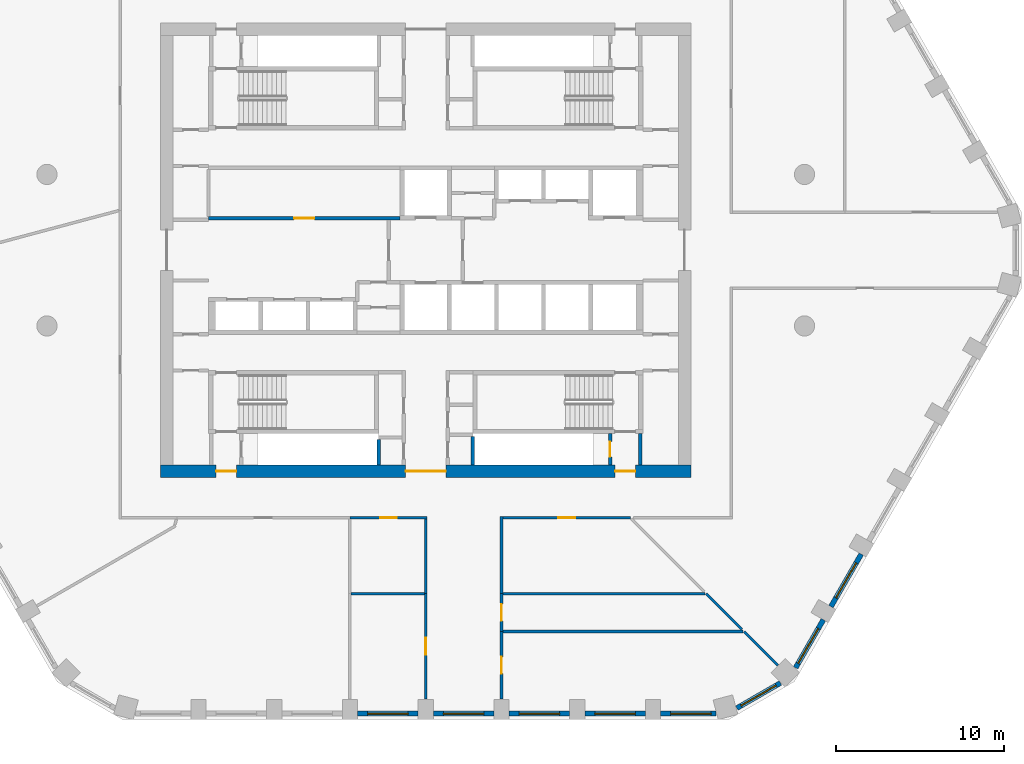
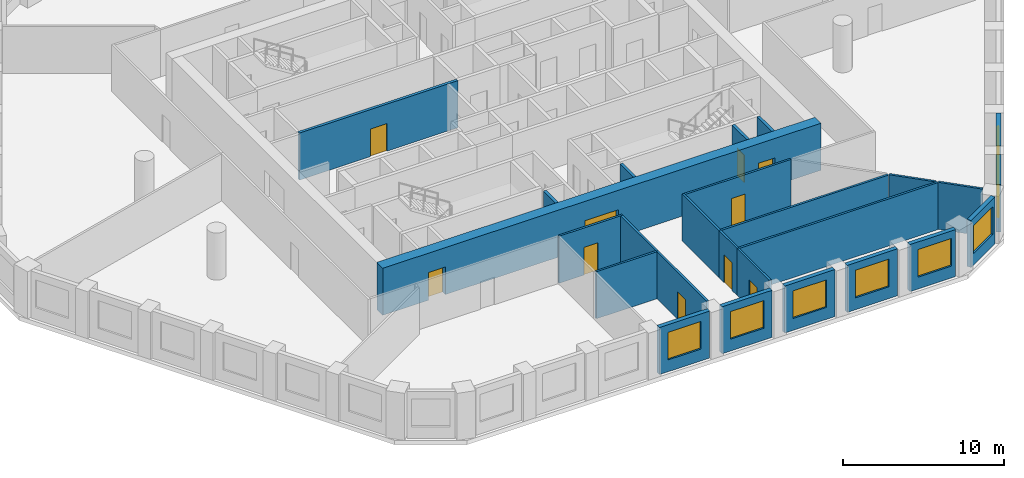
# One storey, part 3 of 9: 26 walls, 10 doors, 8 windows, 18 openings.
"""IFC4 building model written with IfcOpenShell, lengths in metres."""

from ifc_helpers import new_model, si_unit, direction, frame, frame_2d, origin, place, context, subcontext, project, spatial, rectangle, extrude, material, layer, layer_set, type_object, element, fill, save


model = new_model("IFC4")

# Units and contexts
model_context = context("Model", 3, precision=1e-05, world=origin(), true_north=direction((0.0, 1.0)))
body_context = subcontext(model_context, "Body", "Model", "MODEL_VIEW")
ifc_project = project(units=[si_unit("LENGTHUNIT", "METRE"), si_unit("AREAUNIT", "SQUARE_METRE"), si_unit("VOLUMEUNIT", "CUBIC_METRE"), si_unit("PLANEANGLEUNIT", "RADIAN"), si_unit("MASSUNIT", "GRAM", prefix="KILO")], contexts=[model_context])

# Site, building, storey
site_placement = place(None, origin())
site = spatial("IfcSite", under=ifc_project, at=site_placement, CompositionType="ELEMENT")
building_placement = place(site_placement, origin())
building = spatial("IfcBuilding", under=site, at=building_placement, Name="Dhurran Vertical Campus", CompositionType="ELEMENT")
storey_placement = place(building_placement, frame((0.0, 0.0, 167.699951171875)))
storey = spatial("IfcBuildingStorey", under=building, at=storey_placement, Name="L41", CompositionType="ELEMENT", Elevation=167.699951171875)

# Wall, opening, window
ifc_material_1 = material(Name="Precast concrete C50/60", Category="concrete")
ifc_layer_1 = layer(ifc_material_1, 0.300048828125)
ifc_layer_set_1 = layer_set([ifc_layer_1], Name="Precast concrete C50/60")
wall_type_1 = type_object("IfcWallType", Name="Precast spandrel wall 300", PredefinedType="SOLIDWALL", material=ifc_layer_set_1)
wall_1_placement = place(storey_placement, frame((-4.049560546875, -27.53271484375, 0.0), z_axis=(0.0, 0.0, 1.0), x_axis=(1.0, 0.0, 0.0)))
wall_1 = element("IfcWall", 1, at=wall_1_placement, inside=storey, type_object=wall_type_1, Name="EW1 L41.03", PredefinedType="SOLIDWALL", context=body_context, shape_type="SweptSolid", body=[
    extrude(rectangle(XDim=3.59912109375, YDim=0.300048828125, at=frame_2d((1.799560546875, 0.0))), origin(), (0.0, 0.0, 1.0), 3.574951171875),
])
opening_1_placement = place(wall_1_placement, frame((0.599609375, 0.0, 0.89990234375)))
opening_1 = element("IfcOpeningElement", 2, at=opening_1_placement, cuts=wall_1, Name="Opening WT1", PredefinedType="OPENING", context=body_context, shape_type="SweptSolid", body=[
    extrude(rectangle(XDim=2.39990234375, YDim=2.10009765625, at=frame_2d((1.199951171875, 1.050048828125))), frame((0.0, 0.159912109375, 0.0), z_axis=(0.0, -1.0, 0.0), x_axis=(1.0, 0.0, 0.0)), (0.0, 0.0, 1.0), 0.320068359375),
])
ifc_material_2 = material(Name="Aluminium frame with solar-control glass", Category="aluminium")
window_type = type_object("IfcWindowType", Name="Punched window 2400 x 2100", PartitioningType="SINGLE_PANEL", PredefinedType="WINDOW", material=ifc_material_2)
window_1_placement = place(opening_1_placement, origin())
window_1 = element("IfcWindow", 3, at=window_1_placement, inside=storey, type_object=window_type, Name="WT1 L41.03", OverallHeight=2.10009765625, OverallWidth=2.39990234375, PartitioningType="SINGLE_PANEL", PredefinedType="WINDOW", context=body_context, shape_type="SweptSolid", body=[
    extrude(rectangle(XDim=2.39990234375, YDim=2.10009765625, at=frame_2d((1.199951171875, 1.050048828125))), frame((0.0, 0.030029296875, 0.0), z_axis=(0.0, -1.0, 0.0), x_axis=(1.0, 0.0, 0.0)), (0.0, 0.0, 1.0), 0.06005859375),
])
fill(opening_1, window_1)

wall_2_placement = place(storey_placement, frame((0.450439453125, -27.53271484375, 0.0), z_axis=(0.0, 0.0, 1.0), x_axis=(1.0, 0.0, 0.0)))
wall_2 = element("IfcWall", 4, at=wall_2_placement, inside=storey, type_object=wall_type_1, Name="EW1 L41.04", PredefinedType="SOLIDWALL", context=body_context, shape_type="SweptSolid", body=[
    extrude(rectangle(XDim=3.59912109375, YDim=0.300048828125, at=frame_2d((1.799560546875, 0.0))), origin(), (0.0, 0.0, 1.0), 3.574951171875),
])
opening_2_placement = place(wall_2_placement, frame((0.599609375, 0.0, 0.89990234375)))
opening_2 = element("IfcOpeningElement", 5, at=opening_2_placement, cuts=wall_2, Name="Opening WT1", PredefinedType="OPENING", context=body_context, shape_type="SweptSolid", body=[
    extrude(rectangle(XDim=2.39990234375, YDim=2.10009765625, at=frame_2d((1.199951171875, 1.050048828125))), frame((0.0, 0.159912109375, 0.0), z_axis=(0.0, -1.0, 0.0), x_axis=(1.0, 0.0, 0.0)), (0.0, 0.0, 1.0), 0.320068359375),
])
window_2_placement = place(opening_2_placement, origin())
window_2 = element("IfcWindow", 6, at=window_2_placement, inside=storey, type_object=window_type, Name="WT1 L41.04", OverallHeight=2.10009765625, OverallWidth=2.39990234375, PartitioningType="SINGLE_PANEL", PredefinedType="WINDOW", context=body_context, shape_type="SweptSolid", body=[
    extrude(rectangle(XDim=2.39990234375, YDim=2.10009765625, at=frame_2d((1.199951171875, 1.050048828125))), frame((0.0, 0.030029296875, 0.0), z_axis=(0.0, -1.0, 0.0), x_axis=(1.0, 0.0, 0.0)), (0.0, 0.0, 1.0), 0.06005859375),
])
fill(opening_2, window_2)

wall_3_placement = place(storey_placement, frame((4.950439453125, -27.53271484375, 0.0), z_axis=(0.0, 0.0, 1.0), x_axis=(1.0, 0.0, 0.0)))
wall_3 = element("IfcWall", 7, at=wall_3_placement, inside=storey, type_object=wall_type_1, Name="EW1 L41.05", PredefinedType="SOLIDWALL", context=body_context, shape_type="SweptSolid", body=[
    extrude(rectangle(XDim=3.59912109375, YDim=0.300048828125, at=frame_2d((1.799560546875, 0.0))), origin(), (0.0, 0.0, 1.0), 3.574951171875),
])
opening_3_placement = place(wall_3_placement, frame((0.599609375, 0.0, 0.89990234375)))
opening_3 = element("IfcOpeningElement", 8, at=opening_3_placement, cuts=wall_3, Name="Opening WT1", PredefinedType="OPENING", context=body_context, shape_type="SweptSolid", body=[
    extrude(rectangle(XDim=2.39990234375, YDim=2.10009765625, at=frame_2d((1.199951171875, 1.050048828125))), frame((0.0, 0.159912109375, 0.0), z_axis=(0.0, -1.0, 0.0), x_axis=(1.0, 0.0, 0.0)), (0.0, 0.0, 1.0), 0.320068359375),
])
window_3_placement = place(opening_3_placement, origin())
window_3 = element("IfcWindow", 9, at=window_3_placement, inside=storey, type_object=window_type, Name="WT1 L41.05", OverallHeight=2.10009765625, OverallWidth=2.39990234375, PartitioningType="SINGLE_PANEL", PredefinedType="WINDOW", context=body_context, shape_type="SweptSolid", body=[
    extrude(rectangle(XDim=2.39990234375, YDim=2.10009765625, at=frame_2d((1.199951171875, 1.050048828125))), frame((0.0, 0.030029296875, 0.0), z_axis=(0.0, -1.0, 0.0), x_axis=(1.0, 0.0, 0.0)), (0.0, 0.0, 1.0), 0.06005859375),
])
fill(opening_3, window_3)

wall_4_placement = place(storey_placement, frame((9.450439453125, -27.53271484375, 0.0), z_axis=(0.0, 0.0, 1.0), x_axis=(1.0, 0.0, 0.0)))
wall_4 = element("IfcWall", 10, at=wall_4_placement, inside=storey, type_object=wall_type_1, Name="EW1 L41.06", PredefinedType="SOLIDWALL", context=body_context, shape_type="SweptSolid", body=[
    extrude(rectangle(XDim=3.59912109375, YDim=0.300048828125, at=frame_2d((1.799560546875, 0.0))), origin(), (0.0, 0.0, 1.0), 3.574951171875),
])
opening_4_placement = place(wall_4_placement, frame((0.599609375, 0.0, 0.89990234375)))
opening_4 = element("IfcOpeningElement", 11, at=opening_4_placement, cuts=wall_4, Name="Opening WT1", PredefinedType="OPENING", context=body_context, shape_type="SweptSolid", body=[
    extrude(rectangle(XDim=2.39990234375, YDim=2.10009765625, at=frame_2d((1.199951171875, 1.050048828125))), frame((0.0, 0.159912109375, 0.0), z_axis=(0.0, -1.0, 0.0), x_axis=(1.0, 0.0, 0.0)), (0.0, 0.0, 1.0), 0.320068359375),
])
window_4_placement = place(opening_4_placement, origin())
window_4 = element("IfcWindow", 12, at=window_4_placement, inside=storey, type_object=window_type, Name="WT1 L41.06", OverallHeight=2.10009765625, OverallWidth=2.39990234375, PartitioningType="SINGLE_PANEL", PredefinedType="WINDOW", context=body_context, shape_type="SweptSolid", body=[
    extrude(rectangle(XDim=2.39990234375, YDim=2.10009765625, at=frame_2d((1.199951171875, 1.050048828125))), frame((0.0, 0.030029296875, 0.0), z_axis=(0.0, -1.0, 0.0), x_axis=(1.0, 0.0, 0.0)), (0.0, 0.0, 1.0), 0.06005859375),
])
fill(opening_4, window_4)

wall_5_placement = place(storey_placement, frame((13.950439453125, -27.53271484375, 0.0), z_axis=(0.0, 0.0, 1.0), x_axis=(1.0, 0.0, 0.0)))
wall_5 = element("IfcWall", 13, at=wall_5_placement, inside=storey, type_object=wall_type_1, Name="EW1 L41.07", PredefinedType="SOLIDWALL", context=body_context, shape_type="SweptSolid", body=[
    extrude(rectangle(XDim=3.294189453125, YDim=0.300048828125, at=frame_2d((1.64697265625, 0.0))), origin(), (0.0, 0.0, 1.0), 3.574951171875),
])
opening_5_placement = place(wall_5_placement, frame((0.599609375, 0.0, 0.89990234375)))
opening_5 = element("IfcOpeningElement", 14, at=opening_5_placement, cuts=wall_5, Name="Opening WT1", PredefinedType="OPENING", context=body_context, shape_type="SweptSolid", body=[
    extrude(rectangle(XDim=2.39990234375, YDim=2.10009765625, at=frame_2d((1.199951171875, 1.050048828125))), frame((0.0, 0.159912109375, 0.0), z_axis=(0.0, -1.0, 0.0), x_axis=(1.0, 0.0, 0.0)), (0.0, 0.0, 1.0), 0.320068359375),
])
window_5_placement = place(opening_5_placement, origin())
window_5 = element("IfcWindow", 15, at=window_5_placement, inside=storey, type_object=window_type, Name="WT1 L41.07", OverallHeight=2.10009765625, OverallWidth=2.39990234375, PartitioningType="SINGLE_PANEL", PredefinedType="WINDOW", context=body_context, shape_type="SweptSolid", body=[
    extrude(rectangle(XDim=2.39990234375, YDim=2.10009765625, at=frame_2d((1.199951171875, 1.050048828125))), frame((0.0, 0.030029296875, 0.0), z_axis=(0.0, -1.0, 0.0), x_axis=(1.0, 0.0, 0.0)), (0.0, 0.0, 1.0), 0.06005859375),
])
fill(opening_5, window_5)

wall_6_placement = place(storey_placement, frame((18.479248046875, -27.201904296875, 0.0), z_axis=(0.0, 0.0, 1.0), x_axis=(0.866012844897, 0.500021752, 0.0)))
wall_6 = element("IfcWall", 16, at=wall_6_placement, inside=storey, type_object=wall_type_1, Name="EW1 L41.08", PredefinedType="SOLIDWALL", context=body_context, shape_type="SweptSolid", body=[
    extrude(rectangle(XDim=2.989013671875, YDim=0.300048828125, at=frame_2d((1.49462890625, 0.0))), origin(), (0.0, 0.0, 1.0), 3.574951171875),
])
opening_6_placement = place(wall_6_placement, frame((0.294677734375, 0.0, 0.89990234375)))
opening_6 = element("IfcOpeningElement", 17, at=opening_6_placement, cuts=wall_6, Name="Opening WT1", PredefinedType="OPENING", context=body_context, shape_type="SweptSolid", body=[
    extrude(rectangle(XDim=2.39990234375, YDim=2.10009765625, at=frame_2d((1.199951171875, 1.050048828125))), frame((0.0, 0.159912109375, 0.0), z_axis=(0.0, -1.0, 0.0), x_axis=(1.0, 0.0, 0.0)), (0.0, 0.0, 1.0), 0.320068359375),
])
window_6_placement = place(opening_6_placement, origin())
window_6 = element("IfcWindow", 18, at=window_6_placement, inside=storey, type_object=window_type, Name="WT1 L41.08", OverallHeight=2.10009765625, OverallWidth=2.39990234375, PartitioningType="SINGLE_PANEL", PredefinedType="WINDOW", context=body_context, shape_type="SweptSolid", body=[
    extrude(rectangle(XDim=2.39990234375, YDim=2.10009765625, at=frame_2d((1.199951171875, 1.050048828125))), frame((0.0, 0.030029296875, 0.0), z_axis=(0.0, -1.0, 0.0), x_axis=(1.0, 0.0, 0.0)), (0.0, 0.0, 1.0), 0.06005859375),
])
fill(opening_6, window_6)

wall_7_placement = place(storey_placement, frame((21.9716796875, -24.803466796875, 0.0), z_axis=(0.0, 0.0, 1.0), x_axis=(0.500036802197, 0.866004154983, 0.0)))
wall_7 = element("IfcWall", 19, at=wall_7_placement, inside=storey, type_object=wall_type_1, Name="EW1 L41.09", PredefinedType="SOLIDWALL", context=body_context, shape_type="SweptSolid", body=[
    extrude(rectangle(XDim=3.294189453125, YDim=0.300048828125, at=frame_2d((1.64697265625, 0.0))), origin(), (0.0, 0.0, 1.0), 3.574951171875),
])
opening_7_placement = place(wall_7_placement, frame((0.29443359375, 0.0, 0.89990234375)))
opening_7 = element("IfcOpeningElement", 20, at=opening_7_placement, cuts=wall_7, Name="Opening WT1", PredefinedType="OPENING", context=body_context, shape_type="SweptSolid", body=[
    extrude(rectangle(XDim=2.39990234375, YDim=2.10009765625, at=frame_2d((1.199951171875, 1.050048828125))), frame((0.0, 0.159912109375, 0.0), z_axis=(0.0, -1.0, 0.0), x_axis=(1.0, 0.0, 0.0)), (0.0, 0.0, 1.0), 0.320068359375),
])
window_7_placement = place(opening_7_placement, origin())
window_7 = element("IfcWindow", 21, at=window_7_placement, inside=storey, type_object=window_type, Name="WT1 L41.09", OverallHeight=2.10009765625, OverallWidth=2.39990234375, PartitioningType="SINGLE_PANEL", PredefinedType="WINDOW", context=body_context, shape_type="SweptSolid", body=[
    extrude(rectangle(XDim=2.39990234375, YDim=2.10009765625, at=frame_2d((1.199951171875, 1.050048828125))), frame((0.0, 0.030029296875, 0.0), z_axis=(0.0, -1.0, 0.0), x_axis=(1.0, 0.0, 0.0)), (0.0, 0.0, 1.0), 0.06005859375),
])
fill(opening_7, window_7)

wall_8_placement = place(storey_placement, frame((24.0693359375, -21.17041015625, 0.0), z_axis=(0.0, 0.0, 1.0), x_axis=(0.500027802648, 0.866009351323, 0.0)))
wall_8 = element("IfcWall", 22, at=wall_8_placement, inside=storey, type_object=wall_type_1, Name="EW1 L41.10", PredefinedType="SOLIDWALL", context=body_context, shape_type="SweptSolid", body=[
    extrude(rectangle(XDim=3.598876953125, YDim=0.300048828125, at=frame_2d((1.79931640625, 0.0))), origin(), (0.0, 0.0, 1.0), 3.574951171875),
])
opening_8_placement = place(wall_8_placement, frame((0.599609375, 0.0, 0.89990234375)))
opening_8 = element("IfcOpeningElement", 23, at=opening_8_placement, cuts=wall_8, Name="Opening WT1", PredefinedType="OPENING", context=body_context, shape_type="SweptSolid", body=[
    extrude(rectangle(XDim=2.39990234375, YDim=2.10009765625, at=frame_2d((1.199951171875, 1.050048828125))), frame((0.0, 0.159912109375, 0.0), z_axis=(0.0, -1.0, 0.0), x_axis=(1.0, 0.0, 0.0)), (0.0, 0.0, 1.0), 0.320068359375),
])
window_8_placement = place(opening_8_placement, origin())
window_8 = element("IfcWindow", 24, at=window_8_placement, inside=storey, type_object=window_type, Name="WT1 L41.10", OverallHeight=2.10009765625, OverallWidth=2.39990234375, PartitioningType="SINGLE_PANEL", PredefinedType="WINDOW", context=body_context, shape_type="SweptSolid", body=[
    extrude(rectangle(XDim=2.39990234375, YDim=2.10009765625, at=frame_2d((1.199951171875, 1.050048828125))), frame((0.0, 0.030029296875, 0.0), z_axis=(0.0, -1.0, 0.0), x_axis=(1.0, 0.0, 0.0)), (0.0, 0.0, 1.0), 0.06005859375),
])
fill(opening_8, window_8)

# Wall, openings, doors
ifc_material_3 = material(Name="Concrete C60/75", Category="concrete")
ifc_layer_2 = layer(ifc_material_3, 0.75)
ifc_layer_set_2 = layer_set([ifc_layer_2], Name="Concrete C60/75")
wall_type_2 = type_object("IfcWallType", Name="co-CORE-WALL-C1-750", PredefinedType="SHEAR", material=ifc_layer_set_2)
wall_9_placement = place(storey_placement, frame((-15.75, -13.125, 0.0), z_axis=(0.0, 0.0, 1.0), x_axis=(1.0, 0.0, 0.0)))
wall_9 = element("IfcWall", 25, at=wall_9_placement, inside=storey, type_object=wall_type_2, Name="Core wall S L41", PredefinedType="SHEAR", context=body_context, shape_type="SweptSolid", body=[
    extrude(rectangle(XDim=31.5, YDim=0.75, at=frame_2d((15.75, 0.0))), origin(), (0.0, 0.0, 1.0), 3.574951171875),
])
opening_9_placement = place(wall_9_placement, frame((14.550048828125, 0.0, 0.0)))
opening_9 = element("IfcOpeningElement", 26, at=opening_9_placement, cuts=wall_9, Name="Opening CV2", PredefinedType="OPENING", context=body_context, shape_type="SweptSolid", body=[
    extrude(rectangle(XDim=2.39990234375, YDim=2.10009765625, at=frame_2d((1.199951171875, 1.050048828125))), frame((0.0, 0.385009765625, 0.0), z_axis=(0.0, -1.0, 0.0), x_axis=(1.0, 0.0, 0.0)), (0.0, 0.0, 1.0), 0.77001953125),
])
opening_10_placement = place(wall_9_placement, frame((3.300048828125, 0.0, 0.0)))
opening_10 = element("IfcOpeningElement", 27, at=opening_10_placement, cuts=wall_9, Name="Opening XD3", PredefinedType="OPENING", context=body_context, shape_type="SweptSolid", body=[
    extrude(rectangle(XDim=1.199951171875, YDim=2.10009765625, at=frame_2d((0.60009765625, 1.050048828125))), frame((0.0, 0.385009765625, 0.0), z_axis=(0.0, -1.0, 0.0), x_axis=(1.0, 0.0, 0.0)), (0.0, 0.0, 1.0), 0.77001953125),
])
opening_11_placement = place(wall_9_placement, frame((27.0, 0.0, 0.0)))
opening_11 = element("IfcOpeningElement", 28, at=opening_11_placement, cuts=wall_9, Name="Opening XD4", PredefinedType="OPENING", context=body_context, shape_type="SweptSolid", body=[
    extrude(rectangle(XDim=1.199951171875, YDim=2.10009765625, at=frame_2d((0.60009765625, 1.050048828125))), frame((0.0, 0.385009765625, 0.0), z_axis=(0.0, -1.0, 0.0), x_axis=(1.0, 0.0, 0.0)), (0.0, 0.0, 1.0), 0.77001953125),
])
ifc_material_4 = material(Name="Fire-rated glazed door set")
door_type_1 = type_object("IfcDoorType", Name="co-D-LOBBY 2400x2100", OperationType="DOUBLE_DOOR_DOUBLE_SWING", PredefinedType="DOOR", material=ifc_material_4)
door_1_placement = place(opening_9_placement, origin())
door_1 = element("IfcDoor", 29, at=door_1_placement, inside=storey, type_object=door_type_1, Name="Core vestibule door S L41", OperationType="DOUBLE_DOOR_DOUBLE_SWING", OverallHeight=2.10009765625, OverallWidth=2.39990234375, PredefinedType="DOOR", context=body_context, shape_type="SweptSolid", body=[
    extrude(rectangle(XDim=2.39990234375, YDim=2.10009765625, at=frame_2d((1.199951171875, 1.050048828125))), frame((0.0, 0.02490234375, 0.0), z_axis=(0.0, -1.0, 0.0), x_axis=(1.0, 0.0, 0.0)), (0.0, 0.0, 1.0), 0.050048828125),
])
fill(opening_9, door_1)
ifc_material_5 = material(Name="Fire-rated steel door set", Category="steel")
door_type_2 = type_object("IfcDoorType", Name="co-D-STAIR-EXIT 1200x2100", OperationType="SINGLE_SWING_RIGHT", PredefinedType="DOOR", material=ifc_material_5)
door_2_placement = place(opening_10_placement, origin())
door_2 = element("IfcDoor", 30, at=door_2_placement, inside=storey, type_object=door_type_2, Name="Stair ST3 exit door L41", OperationType="SINGLE_SWING_RIGHT", OverallHeight=2.10009765625, OverallWidth=1.199951171875, PredefinedType="DOOR", context=body_context, shape_type="SweptSolid", body=[
    extrude(rectangle(XDim=1.199951171875, YDim=2.10009765625, at=frame_2d((0.60009765625, 1.050048828125))), frame((0.0, 0.02490234375, 0.0), z_axis=(0.0, -1.0, 0.0), x_axis=(1.0, 0.0, 0.0)), (0.0, 0.0, 1.0), 0.050048828125),
])
fill(opening_10, door_2)
door_3_placement = place(opening_11_placement, origin())
door_3 = element("IfcDoor", 31, at=door_3_placement, inside=storey, type_object=door_type_2, Name="Stair ST4 exit door L41", OperationType="SINGLE_SWING_RIGHT", OverallHeight=2.10009765625, OverallWidth=1.199951171875, PredefinedType="DOOR", context=body_context, shape_type="SweptSolid", body=[
    extrude(rectangle(XDim=1.199951171875, YDim=2.10009765625, at=frame_2d((0.60009765625, 1.050048828125))), frame((0.0, 0.02490234375, 0.0), z_axis=(0.0, -1.0, 0.0), x_axis=(1.0, 0.0, 0.0)), (0.0, 0.0, 1.0), 0.050048828125),
])
fill(opening_11, door_3)

# Wall
ifc_material_6 = material(Name="Fire-rated masonry blockwork", Category="masonry")
ifc_layer_3 = layer(ifc_material_6, 0.199951171875)
ifc_layer_set_3 = layer_set([ifc_layer_3], Name="Fire-rated masonry blockwork")
wall_type_3 = type_object("IfcWallType", Name="co-FIRE-PARTITION-200", PredefinedType="PARTITIONING", material=ifc_layer_set_3)
wall_10_placement = place(storey_placement, frame((12.75, -12.75, 0.0), z_axis=(0.0, 0.0, 1.0), x_axis=(0.0, 1.0, 0.0)))
element("IfcWall", 32, at=wall_10_placement, inside=storey, type_object=wall_type_3, Name="Core partition pass-ST4-o L41", PredefinedType="PARTITIONING", context=body_context, shape_type="SweptSolid", body=[
    extrude(rectangle(XDim=1.85009765625, YDim=0.199951171875, at=frame_2d((0.925048828125, 0.0))), origin(), (0.0, 0.0, 1.0), 3.574951171875),
])

# Wall, opening, door
wall_11_placement = place(storey_placement, frame((10.949951171875, -12.75, 0.0), z_axis=(0.0, 0.0, 1.0), x_axis=(0.0, 1.0, 0.0)))
wall_11 = element("IfcWall", 33, at=wall_11_placement, inside=storey, type_object=wall_type_3, Name="Core partition pass-ST4-i L41", PredefinedType="PARTITIONING", context=body_context, shape_type="SweptSolid", body=[
    extrude(rectangle(XDim=1.85009765625, YDim=0.199951171875, at=frame_2d((0.925048828125, 0.0))), origin(), (0.0, 0.0, 1.0), 3.574951171875),
])
opening_12_placement = place(wall_11_placement, frame((0.47509765625, 0.0, 0.0)))
opening_12 = element("IfcOpeningElement", 34, at=opening_12_placement, cuts=wall_11, Name="Opening T12-C13", PredefinedType="OPENING", context=body_context, shape_type="SweptSolid", body=[
    extrude(rectangle(XDim=0.89990234375, YDim=2.10009765625, at=frame_2d((0.449951171875, 1.050048828125))), frame((0.0, 0.10986328125, 0.0), z_axis=(0.0, -1.0, 0.0), x_axis=(1.0, 0.0, 0.0)), (0.0, 0.0, 1.0), 0.219970703125),
])
ifc_material_7 = material(Name="Fire-rated timber door set", Category="wood")
door_type_3 = type_object("IfcDoorType", Name="co-D-ROOM 900x2100", OperationType="SINGLE_SWING_LEFT", PredefinedType="DOOR", material=ifc_material_7)
door_4_placement = place(opening_12_placement, origin())
door_4 = element("IfcDoor", 35, at=door_4_placement, inside=storey, type_object=door_type_3, Name="Riser room door L41", OperationType="SINGLE_SWING_LEFT", OverallHeight=2.10009765625, OverallWidth=0.89990234375, PredefinedType="DOOR", context=body_context, shape_type="SweptSolid", body=[
    extrude(rectangle(XDim=0.89990234375, YDim=2.10009765625, at=frame_2d((0.449951171875, 1.050048828125))), frame((0.0, 0.02490234375, 0.0), z_axis=(0.0, -1.0, 0.0), x_axis=(1.0, 0.0, 0.0)), (0.0, 0.0, 1.0), 0.050048828125),
])
fill(opening_12, door_4)

wall_12_placement = place(storey_placement, frame((-12.89990234375, 1.89990234375, 0.0), z_axis=(0.0, 0.0, 1.0), x_axis=(1.0, 0.0, 0.0)))
wall_12 = element("IfcWall", 36, at=wall_12_placement, inside=storey, type_object=wall_type_3, Name="Core partition fr-N0-f L41", PredefinedType="PARTITIONING", context=body_context, shape_type="SweptSolid", body=[
    extrude(rectangle(XDim=11.375, YDim=0.199951171875, at=frame_2d((5.6875, 0.0))), origin(), (0.0, 0.0, 1.0), 3.574951171875),
])
opening_13_placement = place(wall_12_placement, frame((5.08740234375, 0.0, 0.0)))
opening_13 = element("IfcOpeningElement", 37, at=opening_13_placement, cuts=wall_12, Name="Opening T12-C22", PredefinedType="OPENING", context=body_context, shape_type="SweptSolid", body=[
    extrude(rectangle(XDim=1.199951171875, YDim=2.10009765625, at=frame_2d((0.60009765625, 1.050048828125))), frame((0.0, 0.10986328125, 0.0), z_axis=(0.0, -1.0, 0.0), x_axis=(1.0, 0.0, 0.0)), (0.0, 0.0, 1.0), 0.219970703125),
])
ifc_material_8 = material(Name="Fire-rated steel door set", Category="steel")
door_type_4 = type_object("IfcDoorType", Name="co-D-ROOM-PASSAGE 1200x2100", OperationType="SINGLE_SWING_RIGHT", PredefinedType="DOOR", material=ifc_material_8)
door_5_placement = place(opening_13_placement, origin())
door_5 = element("IfcDoor", 38, at=door_5_placement, inside=storey, type_object=door_type_4, Name="Plant room door L41", OperationType="SINGLE_SWING_RIGHT", OverallHeight=2.10009765625, OverallWidth=1.199951171875, PredefinedType="DOOR", context=body_context, shape_type="SweptSolid", body=[
    extrude(rectangle(XDim=1.199951171875, YDim=2.10009765625, at=frame_2d((0.60009765625, 1.050048828125))), frame((0.0, 0.02490234375, 0.0), z_axis=(0.0, -1.0, 0.0), x_axis=(1.0, 0.0, 0.0)), (0.0, 0.0, 1.0), 0.050048828125),
])
fill(opening_13, door_5)

# Walls
wall_13_placement = place(storey_placement, frame((-2.800048828125, -12.7490234375, 0.0), z_axis=(0.0, 0.0, 1.0), x_axis=(0.0, 1.0, 0.0)))
element("IfcWall", 39, at=wall_13_placement, inside=storey, type_object=wall_type_3, Name="Riser enclosure wall L41", PredefinedType="PARTITIONING", context=body_context, shape_type="SweptSolid", body=[
    extrude(rectangle(XDim=1.51806640625, YDim=0.199951171875, at=frame_2d((0.759033203125, 0.0))), origin(), (0.0, 0.0, 1.0), 3.574951171875),
])
wall_14_placement = place(storey_placement, frame((2.800048828125, -12.7490234375, 0.0), z_axis=(0.0, 0.0, 1.0), x_axis=(0.0, 1.0, 0.0)))
element("IfcWall", 40, at=wall_14_placement, inside=storey, type_object=wall_type_3, Name="Riser enclosure wall L41", PredefinedType="PARTITIONING", context=body_context, shape_type="SweptSolid", body=[
    extrude(rectangle(XDim=1.679931640625, YDim=0.199951171875, at=frame_2d((0.83984375, 0.0))), origin(), (0.0, 0.0, 1.0), 3.574951171875),
])

# Wall, opening, door
ifc_material_9 = material(Name="Gypsum board corridor wall on steel studs", Category="steel")
ifc_layer_4 = layer(ifc_material_9, 0.14990234375)
ifc_layer_set_4 = layer_set([ifc_layer_4], Name="Gypsum board corridor wall on steel studs")
wall_type_4 = type_object("IfcWallType", Name="fl-CW-150 corridor wall", PredefinedType="PARTITIONING", material=ifc_layer_set_4)
wall_15_placement = place(storey_placement, frame((-4.5, -15.89990234375, 0.0), z_axis=(0.0, 0.0, 1.0), x_axis=(1.0, 0.0, 0.0)))
wall_15 = element("IfcWall", 41, at=wall_15_placement, inside=storey, type_object=wall_type_4, Name="Partition 41-15", PredefinedType="PARTITIONING", context=body_context, shape_type="SweptSolid", body=[
    extrude(rectangle(XDim=4.574951171875, YDim=0.14990234375, at=frame_2d((2.28759765625, 0.0))), origin(), (0.0, 0.0, 1.0), 3.574951171875),
])
opening_14_placement = place(wall_15_placement, frame((1.78759765625, 0.0, 0.0)))
opening_14 = element("IfcOpeningElement", 42, at=opening_14_placement, cuts=wall_15, Name="Opening T12.06", PredefinedType="OPENING", context=body_context, shape_type="SweptSolid", body=[
    extrude(rectangle(XDim=1.0, YDim=2.10009765625, at=frame_2d((0.5, 1.050048828125))), frame((0.0, 0.0849609375, 0.0), z_axis=(0.0, -1.0, 0.0), x_axis=(1.0, 0.0, 0.0)), (0.0, 0.0, 1.0), 0.169921875),
])
ifc_material_10 = material(Name="Solid-core timber door set, fire-rated", Category="wood")
door_type_5 = type_object("IfcDoorType", Name="fl-D-1000x2100", OperationType="SINGLE_SWING_LEFT", PredefinedType="DOOR", material=ifc_material_10)
door_6_placement = place(opening_14_placement, origin())
door_6 = element("IfcDoor", 43, at=door_6_placement, inside=storey, type_object=door_type_5, Name="Door 41.06", OperationType="SINGLE_SWING_LEFT", OverallHeight=2.10009765625, OverallWidth=1.0, PredefinedType="DOOR", context=body_context, shape_type="SweptSolid", body=[
    extrude(rectangle(XDim=1.0, YDim=2.10009765625, at=frame_2d((0.5, 1.050048828125))), frame((0.0, 0.02490234375, 0.0), z_axis=(0.0, -1.0, 0.0), x_axis=(1.0, 0.0, 0.0)), (0.0, 0.0, 1.0), 0.050048828125),
])
fill(opening_14, door_6)

wall_16_placement = place(storey_placement, frame((0.0, -26.66259765625, 0.0), z_axis=(0.0, 0.0, 1.0), x_axis=(0.0, 1.0, 0.0)))
wall_16 = element("IfcWall", 44, at=wall_16_placement, inside=storey, type_object=wall_type_4, Name="Partition 41-20", PredefinedType="PARTITIONING", context=body_context, shape_type="SweptSolid", body=[
    extrude(rectangle(XDim=6.2626953125, YDim=0.14990234375, at=frame_2d((3.13134765625, 0.0))), origin(), (0.0, 0.0, 1.0), 3.574951171875),
])
opening_15_placement = place(wall_16_placement, frame((2.63134765625, 0.0, 0.0)))
opening_15 = element("IfcOpeningElement", 45, at=opening_15_placement, cuts=wall_16, Name="Opening T12.05", PredefinedType="OPENING", context=body_context, shape_type="SweptSolid", body=[
    extrude(rectangle(XDim=1.0, YDim=2.10009765625, at=frame_2d((0.5, 1.050048828125))), frame((0.0, 0.0849609375, 0.0), z_axis=(0.0, -1.0, 0.0), x_axis=(1.0, 0.0, 0.0)), (0.0, 0.0, 1.0), 0.169921875),
])
door_7_placement = place(opening_15_placement, origin())
door_7 = element("IfcDoor", 46, at=door_7_placement, inside=storey, type_object=door_type_5, Name="Door 41.05", OperationType="SINGLE_SWING_RIGHT", OverallHeight=2.10009765625, OverallWidth=1.0, PredefinedType="DOOR", context=body_context, shape_type="SweptSolid", body=[
    extrude(rectangle(XDim=1.0, YDim=2.10009765625, at=frame_2d((0.5, 1.050048828125))), frame((0.0, 0.02490234375, 0.0), z_axis=(0.0, -1.0, 0.0), x_axis=(1.0, 0.0, 0.0)), (0.0, 0.0, 1.0), 0.050048828125),
])
fill(opening_15, door_7)

# Wall
wall_17_placement = place(storey_placement, frame((0.0, -20.39990234375, 0.0), z_axis=(0.0, 0.0, 1.0), x_axis=(0.0, 1.0, 0.0)))
element("IfcWall", 47, at=wall_17_placement, inside=storey, type_object=wall_type_4, Name="Partition 41-21", PredefinedType="PARTITIONING", context=body_context, shape_type="SweptSolid", body=[
    extrude(rectangle(XDim=4.4248046875, YDim=0.14990234375, at=frame_2d((2.21240234375, 0.0))), origin(), (0.0, 0.0, 1.0), 3.574951171875),
])

# Wall, opening, door
wall_18_placement = place(storey_placement, frame((4.5, -22.64990234375, 0.0), z_axis=(0.0, 0.0, 1.0), x_axis=(0.0, -1.0, 0.0)))
wall_18 = element("IfcWall", 48, at=wall_18_placement, inside=storey, type_object=wall_type_4, Name="Partition 41-24", PredefinedType="PARTITIONING", context=body_context, shape_type="SweptSolid", body=[
    extrude(rectangle(XDim=4.0126953125, YDim=0.14990234375, at=frame_2d((2.00634765625, 0.0))), origin(), (0.0, 0.0, 1.0), 3.574951171875),
])
opening_16_placement = place(wall_18_placement, frame((1.50634765625, 0.0, 0.0)))
opening_16 = element("IfcOpeningElement", 49, at=opening_16_placement, cuts=wall_18, Name="Opening T12.14", PredefinedType="OPENING", context=body_context, shape_type="SweptSolid", body=[
    extrude(rectangle(XDim=1.0, YDim=2.10009765625, at=frame_2d((0.5, 1.050048828125))), frame((0.0, 0.0849609375, 0.0), z_axis=(0.0, -1.0, 0.0), x_axis=(1.0, 0.0, 0.0)), (0.0, 0.0, 1.0), 0.169921875),
])
door_8_placement = place(opening_16_placement, origin())
door_8 = element("IfcDoor", 50, at=door_8_placement, inside=storey, type_object=door_type_5, Name="Door 41.14", OperationType="SINGLE_SWING_LEFT", OverallHeight=2.10009765625, OverallWidth=1.0, PredefinedType="DOOR", context=body_context, shape_type="SweptSolid", body=[
    extrude(rectangle(XDim=1.0, YDim=2.10009765625, at=frame_2d((0.5, 1.050048828125))), frame((0.0, 0.02490234375, 0.0), z_axis=(0.0, -1.0, 0.0), x_axis=(1.0, 0.0, 0.0)), (0.0, 0.0, 1.0), 0.050048828125),
])
fill(opening_16, door_8)

wall_19_placement = place(storey_placement, frame((4.5, -20.39990234375, 0.0), z_axis=(0.0, 0.0, 1.0), x_axis=(0.0, -1.0, 0.0)))
wall_19 = element("IfcWall", 51, at=wall_19_placement, inside=storey, type_object=wall_type_4, Name="Partition 41-25", PredefinedType="PARTITIONING", context=body_context, shape_type="SweptSolid", body=[
    extrude(rectangle(XDim=2.25, YDim=0.14990234375, at=frame_2d((1.125, 0.0))), origin(), (0.0, 0.0, 1.0), 3.574951171875),
])
opening_17_placement = place(wall_19_placement, frame((0.625, 0.0, 0.0)))
opening_17 = element("IfcOpeningElement", 52, at=opening_17_placement, cuts=wall_19, Name="Opening T12.13", PredefinedType="OPENING", context=body_context, shape_type="SweptSolid", body=[
    extrude(rectangle(XDim=1.0, YDim=2.10009765625, at=frame_2d((0.5, 1.050048828125))), frame((0.0, 0.0849609375, 0.0), z_axis=(0.0, -1.0, 0.0), x_axis=(1.0, 0.0, 0.0)), (0.0, 0.0, 1.0), 0.169921875),
])
door_9_placement = place(opening_17_placement, origin())
door_9 = element("IfcDoor", 53, at=door_9_placement, inside=storey, type_object=door_type_5, Name="Door 41.13", OperationType="SINGLE_SWING_RIGHT", OverallHeight=2.10009765625, OverallWidth=1.0, PredefinedType="DOOR", context=body_context, shape_type="SweptSolid", body=[
    extrude(rectangle(XDim=1.0, YDim=2.10009765625, at=frame_2d((0.5, 1.050048828125))), frame((0.0, 0.02490234375, 0.0), z_axis=(0.0, -1.0, 0.0), x_axis=(1.0, 0.0, 0.0)), (0.0, 0.0, 1.0), 0.050048828125),
])
fill(opening_17, door_9)

# Wall
wall_20_placement = place(storey_placement, frame((4.5, -15.824951171875, 0.0), z_axis=(0.0, 0.0, 1.0), x_axis=(0.0, -1.0, 0.0)))
element("IfcWall", 54, at=wall_20_placement, inside=storey, type_object=wall_type_4, Name="Partition 41-27", PredefinedType="PARTITIONING", context=body_context, shape_type="SweptSolid", body=[
    extrude(rectangle(XDim=4.574951171875, YDim=0.14990234375, at=frame_2d((2.28759765625, 0.0))), origin(), (0.0, 0.0, 1.0), 3.574951171875),
])

# Wall, opening, door
wall_21_placement = place(storey_placement, frame((4.574951171875, -15.89990234375, 0.0), z_axis=(0.0, 0.0, 1.0), x_axis=(1.0, 0.0, 0.0)))
wall_21 = element("IfcWall", 55, at=wall_21_placement, inside=storey, type_object=wall_type_4, Name="Partition 41-29", PredefinedType="PARTITIONING", context=body_context, shape_type="SweptSolid", body=[
    extrude(rectangle(XDim=7.589111328125, YDim=0.14990234375, at=frame_2d((3.79443359375, 0.0))), origin(), (0.0, 0.0, 1.0), 3.574951171875),
])
opening_18_placement = place(wall_21_placement, frame((3.29443359375, 0.0, 0.0)))
opening_18 = element("IfcOpeningElement", 56, at=opening_18_placement, cuts=wall_21, Name="Opening T12.12", PredefinedType="OPENING", context=body_context, shape_type="SweptSolid", body=[
    extrude(rectangle(XDim=1.0, YDim=2.10009765625, at=frame_2d((0.5, 1.050048828125))), frame((0.0, 0.0849609375, 0.0), z_axis=(0.0, -1.0, 0.0), x_axis=(1.0, 0.0, 0.0)), (0.0, 0.0, 1.0), 0.169921875),
])
door_10_placement = place(opening_18_placement, origin())
door_10 = element("IfcDoor", 57, at=door_10_placement, inside=storey, type_object=door_type_5, Name="Door 41.12", OperationType="SINGLE_SWING_RIGHT", OverallHeight=2.10009765625, OverallWidth=1.0, PredefinedType="DOOR", context=body_context, shape_type="SweptSolid", body=[
    extrude(rectangle(XDim=1.0, YDim=2.10009765625, at=frame_2d((0.5, 1.050048828125))), frame((0.0, 0.02490234375, 0.0), z_axis=(0.0, -1.0, 0.0), x_axis=(1.0, 0.0, 0.0)), (0.0, 0.0, 1.0), 0.050048828125),
])
fill(opening_18, door_10)

# Walls
ifc_material_11 = material(Name="Gypsum board partition on steel studs", Category="steel")
ifc_layer_5 = layer(ifc_material_11, 0.14990234375)
ifc_layer_set_5 = layer_set([ifc_layer_5], Name="Gypsum board partition on steel studs")
wall_type_5 = type_object("IfcWallType", Name="fl-PW-150 fixed partition", PredefinedType="PARTITIONING", material=ifc_layer_set_5)
wall_22_placement = place(storey_placement, frame((-4.425048828125, -20.39990234375, 0.0), z_axis=(0.0, 0.0, 1.0), x_axis=(1.0, 0.0, 0.0)))
element("IfcWall", 58, at=wall_22_placement, inside=storey, type_object=wall_type_5, Name="Partition 41-14", PredefinedType="PARTITIONING", context=body_context, shape_type="SweptSolid", body=[
    extrude(rectangle(XDim=4.35009765625, YDim=0.14990234375, at=frame_2d((2.175048828125, 0.0))), origin(), (0.0, 0.0, 1.0), 3.574951171875),
])
wall_23_placement = place(storey_placement, frame((18.839111328125, -22.64990234375, 0.0), z_axis=(0.0, 0.0, 1.0), x_axis=(-1.0, 0.0, 0.0)))
element("IfcWall", 59, at=wall_23_placement, inside=storey, type_object=wall_type_5, Name="Partition 41-26", PredefinedType="PARTITIONING", context=body_context, shape_type="SweptSolid", body=[
    extrude(rectangle(XDim=14.26416015625, YDim=0.14990234375, at=frame_2d((7.132080078125, 0.0))), origin(), (0.0, 0.0, 1.0), 3.574951171875),
])
wall_24_placement = place(storey_placement, frame((16.589111328125, -20.39990234375, 0.0), z_axis=(0.0, 0.0, 1.0), x_axis=(-1.0, 0.0, 0.0)))
element("IfcWall", 60, at=wall_24_placement, inside=storey, type_object=wall_type_5, Name="Partition 41-28", PredefinedType="PARTITIONING", context=body_context, shape_type="SweptSolid", body=[
    extrude(rectangle(XDim=12.01416015625, YDim=0.14990234375, at=frame_2d((6.007080078125, 0.0))), origin(), (0.0, 0.0, 1.0), 3.574951171875),
])
wall_25_placement = place(storey_placement, frame((16.6640625, -20.39990234375, 0.0), z_axis=(0.0, 0.0, 1.0), x_axis=(0.707066186027, -0.707147374015, 0.0)))
element("IfcWall", 61, at=wall_25_placement, inside=storey, type_object=wall_type_5, Name="Partition 41-42", PredefinedType="PARTITIONING", context=body_context, shape_type="SweptSolid", body=[
    extrude(rectangle(XDim=3.007080078125, YDim=0.14990234375, at=frame_2d((1.50341796875, 0.0))), origin(), (0.0, 0.0, 1.0), 3.574951171875),
])
wall_26_placement = place(storey_placement, frame((18.9140625, -22.64990234375, 0.0), z_axis=(0.0, 0.0, 1.0), x_axis=(0.707063760666, -0.707149799089, 0.0)))
element("IfcWall", 62, at=wall_26_placement, inside=storey, type_object=wall_type_5, Name="Partition 41-47", PredefinedType="PARTITIONING", context=body_context, shape_type="SweptSolid", body=[
    extrude(rectangle(XDim=2.837646484375, YDim=0.14990234375, at=frame_2d((1.4189453125, 0.0))), origin(), (0.0, 0.0, 1.0), 3.574951171875),
])

save(model, "model.ifc")
